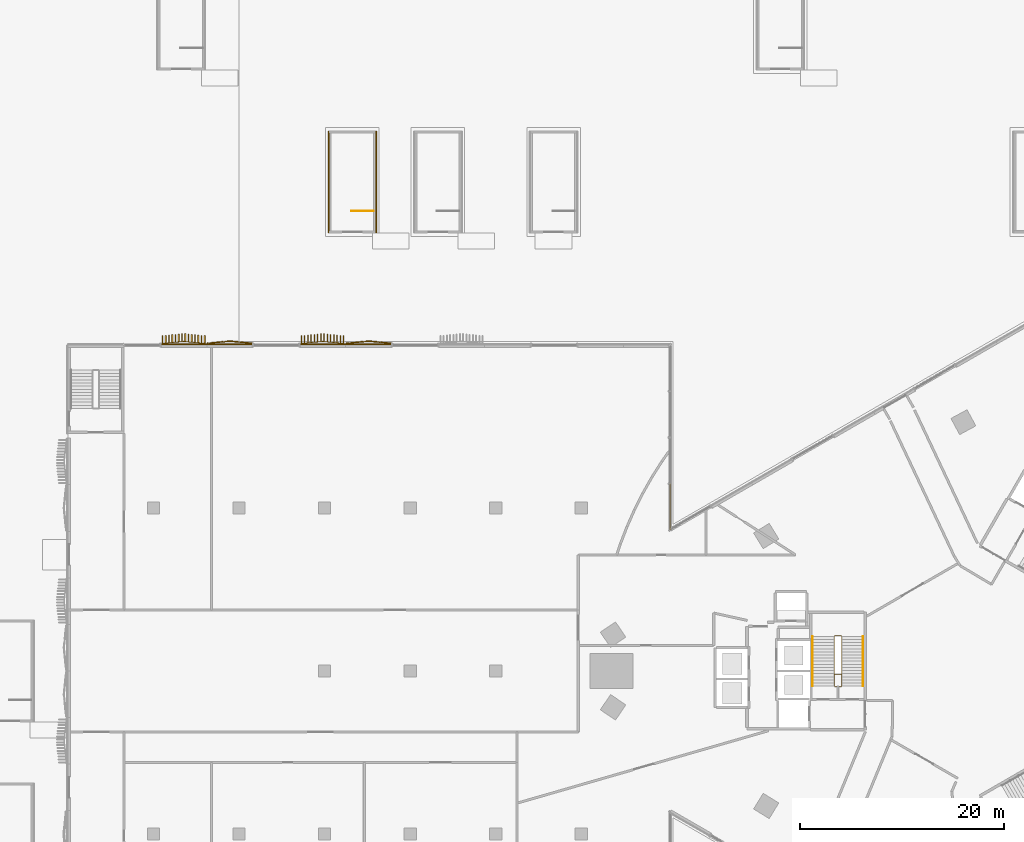
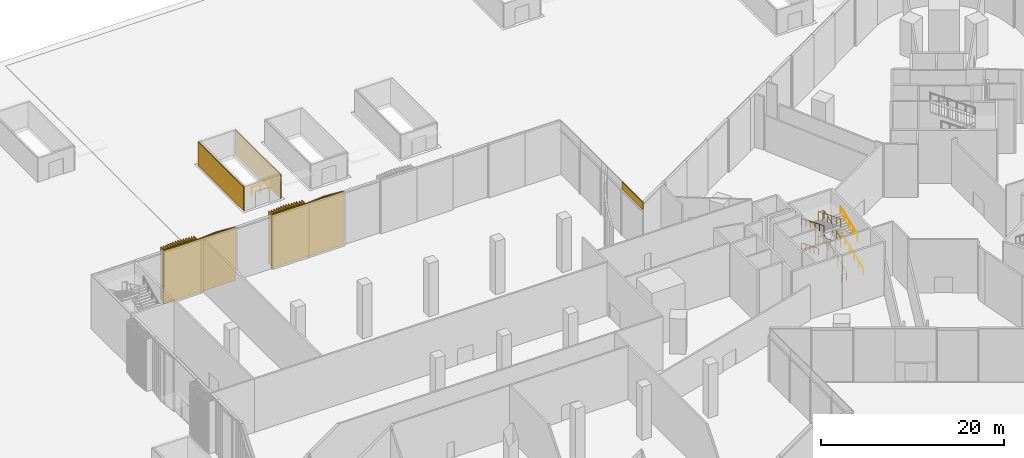
# One storey, part 34 of 41: 9 coverings, 6 railings.
"""IFC4 building model written with IfcOpenShell, lengths in metres."""

import ifcopenshell
import ifcopenshell.guid

model = None  # the IFC model being written
_history = None  # IfcOwnerHistory: only IFC2X3 demands one
_inside = {}  # id of a spatial element -> (the spatial element, [elements in it])
_under = {}  # id of a project, library or spatial element -> (it, [spatial elements below it])
_declared = {}  # id of a project -> (the project, [libraries it declares])
_typed = {}  # id of a type object -> (the type object, [elements of that type])
_made_of = {}  # id of a material, layer set ... -> (it, [elements and type objects made of it])


def new_model(schema):
    """Start an empty IFC model of exactly this schema.

    Asked for "IFC4X3", IfcOpenShell would pick the latest addendum, in which some entities
    have other attributes; the version numbers below select the first issue.
    IFC2X3 requires an IfcOwnerHistory on every rooted entity: one is made here for all.
    """
    global model, _history
    if schema == "IFC4X3":
        model = ifcopenshell.file(schema_version=(4, 3, 0, 0))
    else:
        model = ifcopenshell.file(schema=schema)
    _inside.clear()
    _under.clear()
    _declared.clear()
    _typed.clear()
    _made_of.clear()
    _history = None
    if model.schema == "IFC2X3":
        org = make("IfcOrganization", Name="unknown")
        user = make(
            "IfcPersonAndOrganization",
            ThePerson=make("IfcPerson", FamilyName="unknown"),
            TheOrganization=org,
        )
        app = make(
            "IfcApplication",
            ApplicationDeveloper=org,
            Version="unknown",
            ApplicationFullName="unknown",
            ApplicationIdentifier="unknown",
        )
        _history = make(
            "IfcOwnerHistory",
            OwningUser=user,
            OwningApplication=app,
            ChangeAction="ADDED",
            CreationDate=0,
        )
    return model


def make(cls, **values):
    """One entity of the class cls with the attributes given. An attribute that is None is left unset."""
    return model.create_entity(
        cls, **{name: value for name, value in values.items() if value is not None}
    )


def rooted(cls, **values):
    """An entity with a GlobalId (a new one), such as an element, a storey or a relation."""
    return make(cls, GlobalId=ifcopenshell.guid.new(), OwnerHistory=_history, **values)


def si_unit(unit_type, name, prefix=None):
    """IfcSIUnit, for example si_unit("LENGTHUNIT", "METRE", prefix="MILLI")."""
    return make("IfcSIUnit", UnitType=unit_type, Prefix=prefix, Name=name)


def assignment(units):
    """IfcUnitAssignment: the units of a project."""
    return None if units is None else make("IfcUnitAssignment", Units=units)


def point(xyz):
    """IfcCartesianPoint."""
    return None if xyz is None else make("IfcCartesianPoint", Coordinates=xyz)


def direction(xyz):
    """IfcDirection."""
    return None if xyz is None else make("IfcDirection", DirectionRatios=xyz)


def frame(location, z_axis=None, x_axis=None):
    """IfcAxis2Placement3D, a coordinate frame: its origin and axes. An axis left out is left unset."""
    return make(
        "IfcAxis2Placement3D",
        Location=point(location),
        Axis=direction(z_axis),
        RefDirection=direction(x_axis),
    )


def frame_2d(location, x_axis=None):
    """IfcAxis2Placement2D, a coordinate frame in the plane: its origin and x axis."""
    return make(
        "IfcAxis2Placement2D", Location=point(location), RefDirection=direction(x_axis)
    )


def origin():
    """The frame at (0, 0, 0) with its axes left unset."""
    return frame((0.0, 0.0, 0.0))


def origin_2d():
    """The frame at (0, 0) in the plane with its x axis left unset."""
    return frame_2d((0.0, 0.0))


def place(relative_to, where):
    """IfcLocalPlacement: puts the frame where relative to a parent placement (None: the world)."""
    return make(
        "IfcLocalPlacement", PlacementRelTo=relative_to, RelativePlacement=where
    )


def context(
    kind, dimensions, precision=None, world=None, true_north=None, identifier=None
):
    """IfcGeometricRepresentationContext, for example the 3D "Model" context."""
    return make(
        "IfcGeometricRepresentationContext",
        ContextIdentifier=identifier,
        ContextType=kind,
        CoordinateSpaceDimension=dimensions,
        Precision=precision,
        WorldCoordinateSystem=world,
        TrueNorth=true_north,
    )


def subcontext(parent, identifier, kind, view, scale=None):
    """IfcGeometricRepresentationSubContext, for example "Body" below "Model"."""
    return make(
        "IfcGeometricRepresentationSubContext",
        ContextIdentifier=identifier,
        ContextType=kind,
        ParentContext=parent,
        TargetScale=scale,
        TargetView=view,
    )


def project(units=None, contexts=None):
    """IfcProject with its units and contexts."""
    return rooted(
        "IfcProject",
        Name="project",
        RepresentationContexts=contexts,
        UnitsInContext=assignment(units),
    )


def spatial(cls, under=None, at=None, **own):
    """A site, building, storey or space (cls), placed at a placement, below another one or the project."""
    s = rooted(cls, ObjectPlacement=at, **own)
    if under is not None:
        _under.setdefault(under.id(), (under, []))[1].append(s)
    return s


def profile(cls, at=None, kind="AREA", **sizes):
    """A parametric profile (cls). Its sizes go by their IFC names, for example OverallWidth=200.0."""
    return make(cls, ProfileType=kind, Position=at, **sizes)


def rectangle(**sizes):
    """IfcRectangleProfileDef."""
    return profile("IfcRectangleProfileDef", **sizes)


def circle(**sizes):
    """IfcCircleProfileDef."""
    return profile("IfcCircleProfileDef", **sizes)


def extrude(swept, where, along, depth):
    """IfcExtrudedAreaSolid: the profile swept, set in the frame where, extruded along a direction by depth."""
    return make(
        "IfcExtrudedAreaSolid",
        SweptArea=swept,
        Position=where,
        ExtrudedDirection=direction(along),
        Depth=depth,
    )


def shape(context_of_items, identifier, shape_type, items):
    """IfcShapeRepresentation: the items that make up one representation, for example the "Body"."""
    return make(
        "IfcShapeRepresentation",
        ContextOfItems=context_of_items,
        RepresentationIdentifier=identifier,
        RepresentationType=shape_type,
        Items=items,
    )


def source(mapping_origin, context_of_items, identifier, shape_type, items):
    """IfcRepresentationMap: a shape defined once, which mapped items show again and again."""
    return make(
        "IfcRepresentationMap",
        MappingOrigin=mapping_origin,
        MappedRepresentation=shape(context_of_items, identifier, shape_type, items),
    )


def transform(
    local_origin,
    x_axis=None,
    y_axis=None,
    z_axis=None,
    scale=None,
    scale2=None,
    scale3=None,
    uniform=True,
):
    """IfcCartesianTransformationOperator3D, or its non-uniform kind. x_axis, y_axis, z_axis: its Axis1, 2, 3."""
    if uniform:
        return make(
            "IfcCartesianTransformationOperator3D",
            Axis1=direction(x_axis),
            Axis2=direction(y_axis),
            LocalOrigin=point(local_origin),
            Scale=scale,
            Axis3=direction(z_axis),
        )
    return make(
        "IfcCartesianTransformationOperator3DnonUniform",
        Axis1=direction(x_axis),
        Axis2=direction(y_axis),
        LocalOrigin=point(local_origin),
        Scale=scale,
        Axis3=direction(z_axis),
        Scale2=scale2,
        Scale3=scale3,
    )


def mapped(mapping_source, mapping_target):
    """IfcMappedItem: shows the shape of a source again, moved by a transform."""
    return make(
        "IfcMappedItem", MappingSource=mapping_source, MappingTarget=mapping_target
    )


def material(Name=None, Category=None):
    """IfcMaterial."""
    return make("IfcMaterial", Name=Name, Category=Category)


def layer(
    of_material, thickness, ventilated=None, Name=None, Category=None, Priority=None
):
    """IfcMaterialLayer: one layer of a wall or slab, of a material (None: an air gap)."""
    return make(
        "IfcMaterialLayer",
        Material=of_material,
        LayerThickness=thickness,
        IsVentilated=ventilated,
        Name=Name,
        Category=Category,
        Priority=Priority,
    )


def layer_set(layers, Name=None):
    """IfcMaterialLayerSet."""
    return make("IfcMaterialLayerSet", MaterialLayers=layers, LayerSetName=Name)


def made_of(thing, what):
    """Note that an element or type object is made of a material, layer set ...; save() writes the relation."""
    if what is not None:
        _made_of.setdefault(what.id(), (what, []))[1].append(thing)
    return thing


def type_object(cls, material=None, **own):
    """A type object (cls), such as IfcWallType, which elements share."""
    return made_of(rooted(cls, **own), material)


def element(
    cls,
    number,
    at=None,
    inside=None,
    cuts=None,
    type_object=None,
    material=None,
    context=None,
    identifier="Body",
    shape_type=None,
    held_by="IfcProductDefinitionShape",
    body=None,
    shapes=None,
    **own,
):
    """One element of the class cls, such as IfcWall. Its Tag is "e" and its number.

    at: its placement. inside: the storey or other place that contains it. cuts: it is an
    opening in that element (IfcRelVoidsElement). A single representation is given by context,
    identifier, shape_type and body (its items); several are given by shapes. held_by: the class
    of the entity that holds the representations. save() writes the other relations.
    """
    e = rooted(cls, Tag="e%d" % number, ObjectPlacement=at, **own)
    if body is not None:
        shapes = [shape(context, identifier, shape_type, body)]
    if shapes is not None:
        e.Representation = make(held_by, Representations=shapes)
    if inside is not None:
        _inside.setdefault(inside.id(), (inside, []))[1].append(e)
    if cuts is not None:
        rooted(
            "IfcRelVoidsElement", RelatingBuildingElement=cuts, RelatedOpeningElement=e
        )
    if type_object is not None:
        _typed.setdefault(type_object.id(), (type_object, []))[1].append(e)
    return made_of(e, material)


def aggregate(whole, parts):
    """IfcRelAggregates: a whole, such as a stair, and the parts it consists of."""
    return rooted("IfcRelAggregates", RelatingObject=whole, RelatedObjects=parts)


def save(model, path):
    """Write the relations noted so far, then the file.

    IfcRelAggregates (storeys below a building ...), IfcRelContainedInSpatialStructure (elements
    in a storey), IfcRelDefinesByType, IfcRelAssociatesMaterial and IfcRelDeclares: one each for
    every whole, place, type object, material and project.
    """
    for whole, parts in _under.values():
        aggregate(whole, parts)
    for where, things in _inside.values():
        rooted(
            "IfcRelContainedInSpatialStructure",
            RelatedElements=things,
            RelatingStructure=where,
        )
    for kind, things in _typed.values():
        rooted("IfcRelDefinesByType", RelatedObjects=things, RelatingType=kind)
    for what, things in _made_of.values():
        rooted("IfcRelAssociatesMaterial", RelatedObjects=things, RelatingMaterial=what)
    for by, libraries in _declared.values():
        rooted("IfcRelDeclares", RelatingContext=by, RelatedDefinitions=libraries)
    model.write(path)


model = new_model("IFC4")

# Units and contexts
model_context = context("Model", 3, precision=1e-05, world=origin(), true_north=direction((0.0, 1.0)))
body_context = subcontext(model_context, "Body", "Model", "MODEL_VIEW")
ifc_project = project(units=[si_unit("LENGTHUNIT", "METRE"), si_unit("AREAUNIT", "SQUARE_METRE"), si_unit("VOLUMEUNIT", "CUBIC_METRE"), si_unit("PLANEANGLEUNIT", "RADIAN"), si_unit("MASSUNIT", "GRAM", prefix="KILO")], contexts=[model_context])

# Site, building, storey
site_placement = place(None, origin())
site = spatial("IfcSite", under=ifc_project, at=site_placement, CompositionType="ELEMENT")
building_placement = place(site_placement, origin())
building = spatial("IfcBuilding", under=site, at=building_placement, Name="Tamra Quay Hotel Tower", CompositionType="ELEMENT")
storey_placement = place(building_placement, origin())
storey = spatial("IfcBuildingStorey", under=building, at=storey_placement, Name="L00", CompositionType="ELEMENT", Elevation=0.0)

# Railing
ifc_material_1 = material(Name="Basement stair guard 1100")
railing_type_1 = type_object("IfcRailingType", Name="Basement stair guard 1100", PredefinedType="GUARDRAIL", material=ifc_material_1)
railing_1_placement = place(storey_placement, frame((-59.10009765625, 45.14990234375, 0.0)))
element("IfcRailing", 1, at=railing_1_placement, inside=storey, type_object=railing_type_1, Name="BSG", PredefinedType="GUARDRAIL", context=body_context, shape_type="SweptSolid", body=[
    extrude(circle(Radius=0.02392578125, at=origin_2d()), frame((0.0, 0.0, 1.076171875), z_axis=(-1.0, 0.0, 0.0), x_axis=(0.0, -1.0, 0.0)), (0.0, 0.0, 1.0), 2.14990234375),
    extrude(circle(Radius=0.02099609375, at=origin_2d()), origin(), (0.0, 0.0, 1.0), 1.052001953125),
    extrude(circle(Radius=0.02099609375, at=origin_2d()), frame((-1.074951171875, 0.0, 0.0)), (0.0, 0.0, 1.0), 1.052001953125),
    extrude(circle(Radius=0.02099609375, at=origin_2d()), frame((-2.14990234375, 0.0, 0.0)), (0.0, 0.0, 1.0), 1.052001953125),
])

# Coverings
ifc_material_2 = material(Name="Precast concrete M60 terracotta-coloured pierced relief", Category="masonry")
ifc_layer = layer(ifc_material_2, 0.10009765625)
ifc_layer_set = layer_set([ifc_layer], Name="PIERCED RELIEF PANEL 100")
covering_type_1 = type_object("IfcCoveringType", Name="PIERCED RELIEF PANEL 100", PredefinedType="CLADDING", material=ifc_layer_set)
covering_placement = place(storey_placement, frame((-29.949951171875, 16.124267578125, 6.10009765625), z_axis=(0.0, 0.0, 1.0), x_axis=(0.0, 1.0, 0.0)))
element("IfcCovering", 2, at=covering_placement, inside=storey, type_object=covering_type_1, Name="Relief panel L00.E.17", PredefinedType="CLADDING", context=body_context, shape_type="SweptSolid", body=[
    extrude(rectangle(XDim=4.515869140625, YDim=0.10009765625, at=origin_2d()), origin(), (0.0, 0.0, 1.0), 1.0),
])
for number, where, z_axis, x_axis, name in (
    (3, (-61.822998046875, 32.050048828125, 0.0), (0.0, 0.0, 1.0), (-1.0, 0.0, 0.0), "Relief panel L00.NW.17"),
    (4, (-75.46142578125, 32.050048828125, 0.0), (0.0, 0.0, 1.0), (-1.0, 0.0, 0.0), "Relief panel L00.NW.20"),
):
    element("IfcCovering", number, at=place(storey_placement, frame(where, z_axis=z_axis, x_axis=x_axis)), inside=storey, type_object=covering_type_1, Name=name, PredefinedType="CLADDING", context=body_context, shape_type="SweptSolid", body=[
        extrude(rectangle(XDim=9.072265625, YDim=0.10009765625, at=origin_2d()), origin(), (0.0, 0.0, 1.0), 7.10009765625),
    ])
for number, where, z_axis, x_axis, name in (
    (5, (-63.5, 48.0, 0.0), (0.0, 0.0, 1.0), (0.0, -1.0, 0.0), "Relief panel BS7.W"),
    (6, (-58.85009765625, 48.0, 0.0), (0.0, 0.0, 1.0), (0.0, 1.0, 0.0), "Relief panel BS7.E"),
):
    element("IfcCovering", number, at=place(storey_placement, frame(where, z_axis=z_axis, x_axis=x_axis)), inside=storey, type_object=covering_type_1, Name=name, PredefinedType="CLADDING", context=body_context, shape_type="SweptSolid", body=[
        extrude(rectangle(XDim=9.97998046875, YDim=0.10009765625, at=origin_2d()), origin(), (0.0, 0.0, 1.0), 3.199951171875),
    ])

# Railings
ifc_material_3 = material(Name="Stair guard 1100")
railing_type_2 = type_object("IfcRailingType", Name="Stair guard 1100", PredefinedType="GUARDRAIL", material=ifc_material_3)
railing_2_placement = place(storey_placement, frame((-13.84130859375, -1.530029296875, 0.0)))
element("IfcRailing", 7, at=railing_2_placement, inside=storey, type_object=railing_type_2, Name="GR", PredefinedType="GUARDRAIL", context=body_context, shape_type="SweptSolid", body=[
    extrude(circle(Radius=0.02392578125, at=origin_2d()), frame((0.0, 0.0, 1.076171875), z_axis=(1.0, 0.0, 0.0), x_axis=(0.0, 1.0, 0.0)), (0.0, 0.0, 1.0), 0.658935546875),
    extrude(circle(Radius=0.02392578125, at=origin_2d()), frame((0.658935546875, 0.0, 1.076171875), z_axis=(0.34841279274, 0.34841279274, 0.870182194549), x_axis=(-0.707106781187, 0.707106781187, 0.0)), (0.0, 0.0, 1.0), 0.1435546875),
    extrude(circle(Radius=0.02392578125, at=origin_2d()), frame((0.708984375, 0.050048828125, 1.201171875), z_axis=(0.0, 0.925301943077, 0.379231214613), x_axis=(-1.0, 0.0, 0.0)), (0.0, 0.0, 1.0), 5.27392578125),
    extrude(circle(Radius=0.02392578125, at=origin_2d()), frame((0.708984375, 4.929931640625, 3.201171875), z_axis=(-0.707106781187, 0.707106781187, 0.0), x_axis=(-0.707106781187, -0.707106781187, 0.0)), (0.0, 0.0, 1.0), 0.07080078125),
    extrude(circle(Radius=0.02392578125, at=origin_2d()), frame((0.658935546875, 4.97998046875, 3.201171875), z_axis=(-1.0, 0.0, 0.0), x_axis=(0.0, -1.0, 0.0)), (0.0, 0.0, 1.0), 0.658935546875),
    extrude(circle(Radius=0.02392578125, at=origin_2d()), frame((0.0, 4.97998046875, 3.201171875), z_axis=(-0.34841279274, -0.34841279274, 0.870182194549), x_axis=(0.707106781187, -0.707106781187, 0.0)), (0.0, 0.0, 1.0), 0.1435546875),
    extrude(circle(Radius=0.02392578125, at=origin_2d()), frame((-0.050048828125, 4.929931640625, 3.326171875), z_axis=(0.0, -0.925301943077, 0.379231214613), x_axis=(1.0, 0.0, 0.0)), (0.0, 0.0, 1.0), 3.955322265625),
    extrude(circle(Radius=0.02392578125, at=origin_2d()), frame((-0.050048828125, 1.27001953125, 4.826171875), z_axis=(0.707106781187, -0.707106781187, 0.0), x_axis=(0.707106781187, 0.707106781187, 0.0)), (0.0, 0.0, 1.0), 0.07080078125),
    extrude(circle(Radius=0.02392578125, at=origin_2d()), frame((0.0, 1.219970703125, 4.826171875), z_axis=(1.0, 0.0, 0.0), x_axis=(0.0, 1.0, 0.0)), (0.0, 0.0, 1.0), 0.658935546875),
    extrude(circle(Radius=0.02392578125, at=origin_2d()), frame((0.658935546875, 1.219970703125, 4.826171875), z_axis=(0.34841279274, 0.34841279274, 0.870182194549), x_axis=(-0.707106781187, 0.707106781187, 0.0)), (0.0, 0.0, 1.0), 0.1435546875),
    extrude(circle(Radius=0.02392578125, at=origin_2d()), frame((0.708984375, 1.27001953125, 4.951171875), z_axis=(0.0, 0.925301943077, 0.379231214613), x_axis=(-1.0, 0.0, 0.0)), (0.0, 0.0, 1.0), 3.955322265625),
    extrude(circle(Radius=0.02392578125, at=origin_2d()), frame((0.708984375, 4.929931640625, 6.451171875), z_axis=(-0.707106781187, 0.707106781187, 0.0), x_axis=(-0.707106781187, -0.707106781187, 0.0)), (0.0, 0.0, 1.0), 0.07080078125),
    extrude(circle(Radius=0.02392578125, at=origin_2d()), frame((0.658935546875, 4.97998046875, 6.451171875), z_axis=(-1.0, 0.0, 0.0), x_axis=(0.0, -1.0, 0.0)), (0.0, 0.0, 1.0), 0.658935546875),
    extrude(circle(Radius=0.02392578125, at=origin_2d()), frame((0.0, 4.97998046875, 6.451171875), z_axis=(-0.34841279274, -0.34841279274, 0.870182194549), x_axis=(0.707106781187, -0.707106781187, 0.0)), (0.0, 0.0, 1.0), 0.1435546875),
    extrude(circle(Radius=0.02392578125, at=origin_2d()), frame((-0.050048828125, 4.929931640625, 6.576171875), z_axis=(0.0, -0.925301943077, 0.379231214613), x_axis=(1.0, 0.0, 0.0)), (0.0, 0.0, 1.0), 5.27392578125),
    extrude(circle(Radius=0.02099609375, at=origin_2d()), origin(), (0.0, 0.0, 1.0), 1.052001953125),
    extrude(circle(Radius=0.02099609375, at=origin_2d()), frame((0.658935546875, 0.0, 0.0)), (0.0, 0.0, 1.0), 1.052001953125),
    extrude(circle(Radius=0.02099609375, at=origin_2d()), frame((0.708984375, 0.050048828125, 0.125)), (0.0, 0.0, 1.0), 1.052001953125),
    extrude(circle(Radius=0.02099609375, at=origin_2d()), frame((0.708984375, 1.026123046875, 0.52490234375)), (0.0, 0.0, 1.0), 1.052001953125),
    extrude(circle(Radius=0.02099609375, at=origin_2d()), frame((0.708984375, 2.001953125, 0.925048828125)), (0.0, 0.0, 1.0), 1.052001953125),
    extrude(circle(Radius=0.02099609375, at=origin_2d()), frame((0.708984375, 2.97802734375, 1.324951171875)), (0.0, 0.0, 1.0), 1.052001953125),
    extrude(circle(Radius=0.02099609375, at=origin_2d()), frame((0.708984375, 3.953857421875, 1.72509765625)), (0.0, 0.0, 1.0), 1.052001953125),
    extrude(circle(Radius=0.02099609375, at=origin_2d()), frame((0.708984375, 4.929931640625, 2.125)), (0.0, 0.0, 1.0), 1.052001953125),
    extrude(circle(Radius=0.02099609375, at=origin_2d()), frame((0.658935546875, 4.97998046875, 2.125)), (0.0, 0.0, 1.0), 1.052001953125),
    extrude(circle(Radius=0.02099609375, at=origin_2d()), frame((0.0, 4.97998046875, 2.125)), (0.0, 0.0, 1.0), 1.052001953125),
    extrude(circle(Radius=0.02099609375, at=origin_2d()), frame((-0.050048828125, 4.929931640625, 2.25)), (0.0, 0.0, 1.0), 1.052001953125),
    extrude(circle(Radius=0.02099609375, at=origin_2d()), frame((-0.050048828125, 4.014892578125, 2.625)), (0.0, 0.0, 1.0), 1.052001953125),
    extrude(circle(Radius=0.02099609375, at=origin_2d()), frame((-0.050048828125, 3.10009765625, 3.0)), (0.0, 0.0, 1.0), 1.052001953125),
    extrude(circle(Radius=0.02099609375, at=origin_2d()), frame((-0.050048828125, 2.18505859375, 3.375)), (0.0, 0.0, 1.0), 1.052001953125),
    extrude(circle(Radius=0.02099609375, at=origin_2d()), frame((-0.050048828125, 1.27001953125, 3.75)), (0.0, 0.0, 1.0), 1.052001953125),
    extrude(circle(Radius=0.02099609375, at=origin_2d()), frame((0.0, 1.219970703125, 3.75)), (0.0, 0.0, 1.0), 1.052001953125),
    extrude(circle(Radius=0.02099609375, at=origin_2d()), frame((0.658935546875, 1.219970703125, 3.75)), (0.0, 0.0, 1.0), 1.052001953125),
    extrude(circle(Radius=0.02099609375, at=origin_2d()), frame((0.708984375, 1.27001953125, 3.875)), (0.0, 0.0, 1.0), 1.052001953125),
    extrude(circle(Radius=0.02099609375, at=origin_2d()), frame((0.708984375, 2.18505859375, 4.25)), (0.0, 0.0, 1.0), 1.052001953125),
    extrude(circle(Radius=0.02099609375, at=origin_2d()), frame((0.708984375, 3.10009765625, 4.625)), (0.0, 0.0, 1.0), 1.052001953125),
    extrude(circle(Radius=0.02099609375, at=origin_2d()), frame((0.708984375, 4.014892578125, 5.0)), (0.0, 0.0, 1.0), 1.052001953125),
    extrude(circle(Radius=0.02099609375, at=origin_2d()), frame((0.708984375, 4.929931640625, 5.375)), (0.0, 0.0, 1.0), 1.052001953125),
    extrude(circle(Radius=0.02099609375, at=origin_2d()), frame((0.658935546875, 4.97998046875, 5.375)), (0.0, 0.0, 1.0), 1.052001953125),
    extrude(circle(Radius=0.02099609375, at=origin_2d()), frame((0.0, 4.97998046875, 5.375)), (0.0, 0.0, 1.0), 1.052001953125),
    extrude(circle(Radius=0.02099609375, at=origin_2d()), frame((-0.050048828125, 4.929931640625, 5.5)), (0.0, 0.0, 1.0), 1.052001953125),
    extrude(circle(Radius=0.02099609375, at=origin_2d()), frame((-0.050048828125, 3.953857421875, 5.89990234375)), (0.0, 0.0, 1.0), 1.052001953125),
    extrude(circle(Radius=0.02099609375, at=origin_2d()), frame((-0.050048828125, 2.97802734375, 6.300048828125)), (0.0, 0.0, 1.0), 1.052001953125),
    extrude(circle(Radius=0.02099609375, at=origin_2d()), frame((-0.050048828125, 2.001953125, 6.699951171875)), (0.0, 0.0, 1.0), 1.052001953125),
    extrude(circle(Radius=0.02099609375, at=origin_2d()), frame((-0.050048828125, 1.026123046875, 7.10009765625)), (0.0, 0.0, 1.0), 1.052001953125),
    extrude(circle(Radius=0.02099609375, at=origin_2d()), frame((-0.050048828125, 0.050048828125, 7.5)), (0.0, 0.0, 1.0), 1.052001953125),
])
ifc_material_4 = material(Name="Stair handrail 900")
railing_type_3 = type_object("IfcRailingType", Name="Stair handrail 900", PredefinedType="HANDRAIL", material=ifc_material_4)
railing_3_placement = place(storey_placement, frame((-11.0322265625, -1.47998046875, 0.125)))
element("IfcRailing", 8, at=railing_3_placement, inside=storey, type_object=railing_type_3, Name="HR", PredefinedType="HANDRAIL", context=body_context, shape_type="SweptSolid", body=[
    extrude(circle(Radius=0.02392578125, at=origin_2d()), frame((0.0, 0.0, 0.8759765625), z_axis=(0.0, 0.925301943077, 0.379231214613), x_axis=(-1.0, 0.0, 0.0)), (0.0, 0.0, 1.0), 5.27392578125),
    extrude(circle(Radius=0.02099609375, at=origin_2d()), origin(), (0.0, 0.0, 1.0), 0.851806640625),
    extrude(circle(Radius=0.02099609375, at=origin_2d()), frame((0.0, 0.97607421875, 0.39990234375)), (0.0, 0.0, 1.0), 0.851806640625),
    extrude(circle(Radius=0.02099609375, at=origin_2d()), frame((0.0, 1.951904296875, 0.800048828125)), (0.0, 0.0, 1.0), 0.851806640625),
    extrude(circle(Radius=0.02099609375, at=origin_2d()), frame((0.0, 2.927978515625, 1.199951171875)), (0.0, 0.0, 1.0), 0.851806640625),
    extrude(circle(Radius=0.02099609375, at=origin_2d()), frame((0.0, 3.90380859375, 1.60009765625)), (0.0, 0.0, 1.0), 0.851806640625),
    extrude(circle(Radius=0.02099609375, at=origin_2d()), frame((0.0, 4.8798828125, 2.0)), (0.0, 0.0, 1.0), 0.851806640625),
])
railing_4_placement = place(storey_placement, frame((-15.9912109375, 3.39990234375, 2.25)))
element("IfcRailing", 9, at=railing_4_placement, inside=storey, type_object=railing_type_3, Name="HR", PredefinedType="HANDRAIL", context=body_context, shape_type="SweptSolid", body=[
    extrude(circle(Radius=0.02392578125, at=origin_2d()), frame((0.0, 0.0, 0.8759765625), z_axis=(0.0, -0.925301943077, 0.379231214613), x_axis=(1.0, 0.0, 0.0)), (0.0, 0.0, 1.0), 3.955322265625),
    extrude(circle(Radius=0.02099609375, at=origin_2d()), origin(), (0.0, 0.0, 1.0), 0.851806640625),
    extrude(circle(Radius=0.02099609375, at=origin_2d()), frame((0.0, -0.9150390625, 0.375)), (0.0, 0.0, 1.0), 0.851806640625),
    extrude(circle(Radius=0.02099609375, at=origin_2d()), frame((0.0, -1.830078125, 0.75)), (0.0, 0.0, 1.0), 0.851806640625),
    extrude(circle(Radius=0.02099609375, at=origin_2d()), frame((0.0, -2.744873046875, 1.125)), (0.0, 0.0, 1.0), 0.851806640625),
    extrude(circle(Radius=0.02099609375, at=origin_2d()), frame((0.0, -3.659912109375, 1.5)), (0.0, 0.0, 1.0), 0.851806640625),
])
railing_5_placement = place(storey_placement, frame((-11.0322265625, -0.260009765625, 3.875)))
element("IfcRailing", 10, at=railing_5_placement, inside=storey, type_object=railing_type_3, Name="HR", PredefinedType="HANDRAIL", context=body_context, shape_type="SweptSolid", body=[
    extrude(circle(Radius=0.02392578125, at=origin_2d()), frame((0.0, 0.0, 0.8759765625), z_axis=(0.0, 0.925301943077, 0.379231214613), x_axis=(-1.0, 0.0, 0.0)), (0.0, 0.0, 1.0), 3.955322265625),
    extrude(circle(Radius=0.02099609375, at=origin_2d()), origin(), (0.0, 0.0, 1.0), 0.851806640625),
    extrude(circle(Radius=0.02099609375, at=origin_2d()), frame((0.0, 0.9150390625, 0.375)), (0.0, 0.0, 1.0), 0.851806640625),
    extrude(circle(Radius=0.02099609375, at=origin_2d()), frame((0.0, 1.830078125, 0.75)), (0.0, 0.0, 1.0), 0.851806640625),
    extrude(circle(Radius=0.02099609375, at=origin_2d()), frame((0.0, 2.744873046875, 1.125)), (0.0, 0.0, 1.0), 0.851806640625),
    extrude(circle(Radius=0.02099609375, at=origin_2d()), frame((0.0, 3.659912109375, 1.5)), (0.0, 0.0, 1.0), 0.851806640625),
])
railing_6_placement = place(storey_placement, frame((-15.9912109375, 3.39990234375, 5.5)))
element("IfcRailing", 11, at=railing_6_placement, inside=storey, type_object=railing_type_3, Name="HR", PredefinedType="HANDRAIL", context=body_context, shape_type="SweptSolid", body=[
    extrude(circle(Radius=0.02392578125, at=origin_2d()), frame((0.0, 0.0, 0.8759765625), z_axis=(0.0, -0.925301943077, 0.379231214613), x_axis=(1.0, 0.0, 0.0)), (0.0, 0.0, 1.0), 5.27392578125),
    extrude(circle(Radius=0.02099609375, at=origin_2d()), origin(), (0.0, 0.0, 1.0), 0.851806640625),
    extrude(circle(Radius=0.02099609375, at=origin_2d()), frame((0.0, -0.97607421875, 0.39990234375)), (0.0, 0.0, 1.0), 0.851806640625),
    extrude(circle(Radius=0.02099609375, at=origin_2d()), frame((0.0, -1.951904296875, 0.800048828125)), (0.0, 0.0, 1.0), 0.851806640625),
    extrude(circle(Radius=0.02099609375, at=origin_2d()), frame((0.0, -2.927978515625, 1.199951171875)), (0.0, 0.0, 1.0), 0.851806640625),
    extrude(circle(Radius=0.02099609375, at=origin_2d()), frame((0.0, -3.90380859375, 1.60009765625)), (0.0, 0.0, 1.0), 0.851806640625),
    extrude(circle(Radius=0.02099609375, at=origin_2d()), frame((0.0, -4.8798828125, 2.0)), (0.0, 0.0, 1.0), 0.851806640625),
])

# Coverings
ifc_material_5 = material(Name="Terracotta baguette extruded", Category="masonry")
covering_type_2 = type_object("IfcCoveringType", Name="BAGUETTE SCREEN NW-DEEP H7100", PredefinedType="USERDEFINED", material=ifc_material_5)
shared_shape_1 = source(origin(), body_context, "Body", "SweptSolid", [
    extrude(rectangle(XDim=2.242919921875, YDim=0.06005859375, at=frame_2d((1.12158203125, 0.030029296875))), frame((-2.23828125, -0.0576171875, -0.1201171875), z_axis=(0.0, 0.0, 1.0), x_axis=(0.995396198367, -0.09584575252, 0.0)), (0.0, 0.0, 1.0), 0.1201171875),
    extrude(rectangle(XDim=2.242919921875, YDim=0.06005859375, at=frame_2d((1.12158203125, 0.030029296875))), frame((-2.23828125, -0.0576171875, -7.10009765625), z_axis=(0.0, 0.0, 1.0), x_axis=(0.995396198367, -0.09584575252, 0.0)), (0.0, 0.0, 1.0), 0.1201171875),
    extrude(rectangle(XDim=0.10009765625, YDim=0.780029296875, at=frame_2d((0.050048828125, 0.39013671875))), frame((-2.123046875, -0.8232421875, -7.0400390625)), (0.0, 0.0, 1.0), 6.97998046875),
    extrude(rectangle(XDim=0.10009765625, YDim=0.780029296875, at=frame_2d((0.050048828125, 0.39013671875))), frame((-1.80419921875, -0.85400390625, -7.0400390625)), (0.0, 0.0, 1.0), 6.97998046875),
    extrude(rectangle(XDim=0.10009765625, YDim=0.780029296875, at=frame_2d((0.050048828125, 0.39013671875))), frame((-1.485107421875, -0.884765625, -7.0400390625)), (0.0, 0.0, 1.0), 6.97998046875),
    extrude(rectangle(XDim=0.10009765625, YDim=0.780029296875, at=frame_2d((0.050048828125, 0.39013671875))), frame((-1.166259765625, -0.91552734375, -7.0400390625)), (0.0, 0.0, 1.0), 6.97998046875),
    extrude(rectangle(XDim=0.10009765625, YDim=0.780029296875, at=frame_2d((0.050048828125, 0.39013671875))), frame((-0.847412109375, -0.9462890625, -7.0400390625)), (0.0, 0.0, 1.0), 6.97998046875),
    extrude(rectangle(XDim=0.10009765625, YDim=0.780029296875, at=frame_2d((0.050048828125, 0.39013671875))), frame((-0.5283203125, -0.976806640625, -7.0400390625)), (0.0, 0.0, 1.0), 6.97998046875),
    extrude(rectangle(XDim=0.10009765625, YDim=0.780029296875, at=frame_2d((0.050048828125, 0.39013671875))), frame((-0.20947265625, -1.007568359375, -7.0400390625)), (0.0, 0.0, 1.0), 6.97998046875),
    extrude(rectangle(XDim=2.242919921875, YDim=0.06005859375, at=frame_2d((1.12158203125, 0.030029296875))), frame((0.005859375, -0.272705078125, -0.1201171875), z_axis=(0.0, 0.0, 1.0), x_axis=(0.995396198367, 0.09584575252, 0.0)), (0.0, 0.0, 1.0), 0.1201171875),
    extrude(rectangle(XDim=2.242919921875, YDim=0.06005859375, at=frame_2d((1.12158203125, 0.030029296875))), frame((0.005859375, -0.272705078125, -7.10009765625), z_axis=(0.0, 0.0, 1.0), x_axis=(0.995396198367, 0.09584575252, 0.0)), (0.0, 0.0, 1.0), 0.1201171875),
    extrude(rectangle(XDim=0.10009765625, YDim=0.780029296875, at=frame_2d((0.050048828125, 0.39013671875))), frame((0.109375, -1.007568359375, -7.0400390625)), (0.0, 0.0, 1.0), 6.97998046875),
    extrude(rectangle(XDim=0.10009765625, YDim=0.780029296875, at=frame_2d((0.050048828125, 0.39013671875))), frame((0.428466796875, -0.976806640625, -7.0400390625)), (0.0, 0.0, 1.0), 6.97998046875),
    extrude(rectangle(XDim=0.10009765625, YDim=0.780029296875, at=frame_2d((0.050048828125, 0.39013671875))), frame((0.747314453125, -0.9462890625, -7.0400390625)), (0.0, 0.0, 1.0), 6.97998046875),
    extrude(rectangle(XDim=0.10009765625, YDim=0.780029296875, at=frame_2d((0.050048828125, 0.39013671875))), frame((1.066162109375, -0.91552734375, -7.0400390625)), (0.0, 0.0, 1.0), 6.97998046875),
    extrude(rectangle(XDim=0.10009765625, YDim=0.780029296875, at=frame_2d((0.050048828125, 0.39013671875))), frame((1.38525390625, -0.884765625, -7.0400390625)), (0.0, 0.0, 1.0), 6.97998046875),
    extrude(rectangle(XDim=0.10009765625, YDim=0.780029296875, at=frame_2d((0.050048828125, 0.39013671875))), frame((1.7041015625, -0.85400390625, -7.0400390625)), (0.0, 0.0, 1.0), 6.97998046875),
    extrude(rectangle(XDim=0.10009765625, YDim=0.780029296875, at=frame_2d((0.050048828125, 0.39013671875))), frame((2.02294921875, -0.8232421875, -7.0400390625)), (0.0, 0.0, 1.0), 6.97998046875),
])
for number, where, z_axis, x_axis, name in (
    (12, (-64.09619140625, 32.10009765625, 7.10009765625), (0.0, 0.0, 1.0), (-1.0, 0.0, 0.0), "Baguette screen wing.L00.NW.18"),
    (13, (-77.734619140625, 32.10009765625, 7.10009765625), (0.0, 0.0, 1.0), (-1.0, 0.0, 0.0), "Baguette screen wing.L00.NW.21"),
):
    element("IfcCovering", number, at=place(storey_placement, frame(where, z_axis=z_axis, x_axis=x_axis)), inside=storey, type_object=covering_type_2, Name=name, ObjectType="BAGUETTE SCREEN", PredefinedType="USERDEFINED", context=body_context, shape_type="MappedRepresentation", body=[
        mapped(shared_shape_1, transform((0.0, 0.0, 0.0), scale=1.0)),
    ])
covering_type_3 = type_object("IfcCoveringType", Name="BAGUETTE SCREEN NW-SHALLOW H7100", PredefinedType="USERDEFINED", material=ifc_material_5)
shared_shape_2 = source(origin(), body_context, "Body", "SweptSolid", [
    extrude(rectangle(XDim=2.242919921875, YDim=0.06005859375, at=frame_2d((1.12158203125, 0.030029296875))), frame((-2.23828125, -0.0576171875, -0.1201171875), z_axis=(0.0, 0.0, 1.0), x_axis=(0.995396198367, -0.09584575252, 0.0)), (0.0, 0.0, 1.0), 0.1201171875),
    extrude(rectangle(XDim=2.242919921875, YDim=0.06005859375, at=frame_2d((1.12158203125, 0.030029296875))), frame((-2.23828125, -0.0576171875, -7.10009765625), z_axis=(0.0, 0.0, 1.0), x_axis=(0.995396198367, -0.09584575252, 0.0)), (0.0, 0.0, 1.0), 0.1201171875),
    extrude(rectangle(XDim=0.094970703125, YDim=0.10009765625, at=frame_2d((0.04736328125, 0.050048828125))), frame((-2.229248046875, -0.1328125, -7.0400390625)), (0.0, 0.0, 1.0), 6.97998046875),
    extrude(rectangle(XDim=0.094970703125, YDim=0.10009765625, at=frame_2d((0.04736328125, 0.050048828125))), frame((-2.127685546875, -0.142578125, -7.0400390625)), (0.0, 0.0, 1.0), 6.97998046875),
    extrude(rectangle(XDim=0.094970703125, YDim=0.10009765625, at=frame_2d((0.04736328125, 0.050048828125))), frame((-2.0263671875, -0.15234375, -7.0400390625)), (0.0, 0.0, 1.0), 6.97998046875),
    extrude(rectangle(XDim=0.094970703125, YDim=0.10009765625, at=frame_2d((0.04736328125, 0.050048828125))), frame((-1.9248046875, -0.162109375, -7.0400390625)), (0.0, 0.0, 1.0), 6.97998046875),
    extrude(rectangle(XDim=0.094970703125, YDim=0.10009765625, at=frame_2d((0.04736328125, 0.050048828125))), frame((-1.8232421875, -0.171875, -7.0400390625)), (0.0, 0.0, 1.0), 6.97998046875),
    extrude(rectangle(XDim=0.094970703125, YDim=0.10009765625, at=frame_2d((0.04736328125, 0.050048828125))), frame((-1.721923828125, -0.181640625, -7.0400390625)), (0.0, 0.0, 1.0), 6.97998046875),
    extrude(rectangle(XDim=0.094970703125, YDim=0.10009765625, at=frame_2d((0.04736328125, 0.050048828125))), frame((-1.620361328125, -0.19140625, -7.0400390625)), (0.0, 0.0, 1.0), 6.97998046875),
    extrude(rectangle(XDim=0.094970703125, YDim=0.10009765625, at=frame_2d((0.04736328125, 0.050048828125))), frame((-1.518798828125, -0.201171875, -7.0400390625)), (0.0, 0.0, 1.0), 6.97998046875),
    extrude(rectangle(XDim=0.094970703125, YDim=0.10009765625, at=frame_2d((0.04736328125, 0.050048828125))), frame((-1.41748046875, -0.2109375, -7.0400390625)), (0.0, 0.0, 1.0), 6.97998046875),
    extrude(rectangle(XDim=0.094970703125, YDim=0.10009765625, at=frame_2d((0.04736328125, 0.050048828125))), frame((-1.31591796875, -0.220947265625, -7.0400390625)), (0.0, 0.0, 1.0), 6.97998046875),
    extrude(rectangle(XDim=0.094970703125, YDim=0.10009765625, at=frame_2d((0.04736328125, 0.050048828125))), frame((-1.214599609375, -0.230712890625, -7.0400390625)), (0.0, 0.0, 1.0), 6.97998046875),
    extrude(rectangle(XDim=0.094970703125, YDim=0.10009765625, at=frame_2d((0.04736328125, 0.050048828125))), frame((-1.113037109375, -0.240478515625, -7.0400390625)), (0.0, 0.0, 1.0), 6.97998046875),
    extrude(rectangle(XDim=0.094970703125, YDim=0.10009765625, at=frame_2d((0.04736328125, 0.050048828125))), frame((-1.011474609375, -0.250244140625, -7.0400390625)), (0.0, 0.0, 1.0), 6.97998046875),
    extrude(rectangle(XDim=0.094970703125, YDim=0.10009765625, at=frame_2d((0.04736328125, 0.050048828125))), frame((-0.91015625, -0.260009765625, -7.0400390625)), (0.0, 0.0, 1.0), 6.97998046875),
    extrude(rectangle(XDim=0.094970703125, YDim=0.10009765625, at=frame_2d((0.04736328125, 0.050048828125))), frame((-0.80859375, -0.269775390625, -7.0400390625)), (0.0, 0.0, 1.0), 6.97998046875),
    extrude(rectangle(XDim=0.094970703125, YDim=0.10009765625, at=frame_2d((0.04736328125, 0.050048828125))), frame((-0.70703125, -0.279541015625, -7.0400390625)), (0.0, 0.0, 1.0), 6.97998046875),
    extrude(rectangle(XDim=0.094970703125, YDim=0.10009765625, at=frame_2d((0.04736328125, 0.050048828125))), frame((-0.605712890625, -0.289306640625, -7.0400390625)), (0.0, 0.0, 1.0), 6.97998046875),
    extrude(rectangle(XDim=0.094970703125, YDim=0.10009765625, at=frame_2d((0.04736328125, 0.050048828125))), frame((-0.504150390625, -0.299072265625, -7.0400390625)), (0.0, 0.0, 1.0), 6.97998046875),
    extrude(rectangle(XDim=0.094970703125, YDim=0.10009765625, at=frame_2d((0.04736328125, 0.050048828125))), frame((-0.402587890625, -0.308837890625, -7.0400390625)), (0.0, 0.0, 1.0), 6.97998046875),
    extrude(rectangle(XDim=0.094970703125, YDim=0.10009765625, at=frame_2d((0.04736328125, 0.050048828125))), frame((-0.30126953125, -0.318603515625, -7.0400390625)), (0.0, 0.0, 1.0), 6.97998046875),
    extrude(rectangle(XDim=0.094970703125, YDim=0.10009765625, at=frame_2d((0.04736328125, 0.050048828125))), frame((-0.19970703125, -0.328369140625, -7.0400390625)), (0.0, 0.0, 1.0), 6.97998046875),
    extrude(rectangle(XDim=0.094970703125, YDim=0.10009765625, at=frame_2d((0.04736328125, 0.050048828125))), frame((-0.09814453125, -0.338134765625, -7.0400390625)), (0.0, 0.0, 1.0), 6.97998046875),
    extrude(rectangle(XDim=2.242919921875, YDim=0.06005859375, at=frame_2d((1.12158203125, 0.030029296875))), frame((0.005859375, -0.272705078125, -0.1201171875), z_axis=(0.0, 0.0, 1.0), x_axis=(0.995396198367, 0.09584575252, 0.0)), (0.0, 0.0, 1.0), 0.1201171875),
    extrude(rectangle(XDim=2.242919921875, YDim=0.06005859375, at=frame_2d((1.12158203125, 0.030029296875))), frame((0.005859375, -0.272705078125, -7.10009765625), z_axis=(0.0, 0.0, 1.0), x_axis=(0.995396198367, 0.09584575252, 0.0)), (0.0, 0.0, 1.0), 0.1201171875),
    extrude(rectangle(XDim=0.094970703125, YDim=0.10009765625, at=frame_2d((0.04736328125, 0.050048828125))), frame((0.003173828125, -0.338134765625, -7.0400390625)), (0.0, 0.0, 1.0), 6.97998046875),
    extrude(rectangle(XDim=0.094970703125, YDim=0.10009765625, at=frame_2d((0.04736328125, 0.050048828125))), frame((0.104736328125, -0.328369140625, -7.0400390625)), (0.0, 0.0, 1.0), 6.97998046875),
    extrude(rectangle(XDim=0.094970703125, YDim=0.10009765625, at=frame_2d((0.04736328125, 0.050048828125))), frame((0.206298828125, -0.318603515625, -7.0400390625)), (0.0, 0.0, 1.0), 6.97998046875),
    extrude(rectangle(XDim=0.094970703125, YDim=0.10009765625, at=frame_2d((0.04736328125, 0.050048828125))), frame((0.3076171875, -0.308837890625, -7.0400390625)), (0.0, 0.0, 1.0), 6.97998046875),
    extrude(rectangle(XDim=0.094970703125, YDim=0.10009765625, at=frame_2d((0.04736328125, 0.050048828125))), frame((0.4091796875, -0.299072265625, -7.0400390625)), (0.0, 0.0, 1.0), 6.97998046875),
    extrude(rectangle(XDim=0.094970703125, YDim=0.10009765625, at=frame_2d((0.04736328125, 0.050048828125))), frame((0.5107421875, -0.289306640625, -7.0400390625)), (0.0, 0.0, 1.0), 6.97998046875),
    extrude(rectangle(XDim=0.094970703125, YDim=0.10009765625, at=frame_2d((0.04736328125, 0.050048828125))), frame((0.612060546875, -0.279541015625, -7.0400390625)), (0.0, 0.0, 1.0), 6.97998046875),
    extrude(rectangle(XDim=0.094970703125, YDim=0.10009765625, at=frame_2d((0.04736328125, 0.050048828125))), frame((0.713623046875, -0.269775390625, -7.0400390625)), (0.0, 0.0, 1.0), 6.97998046875),
    extrude(rectangle(XDim=0.094970703125, YDim=0.10009765625, at=frame_2d((0.04736328125, 0.050048828125))), frame((0.81494140625, -0.260009765625, -7.0400390625)), (0.0, 0.0, 1.0), 6.97998046875),
    extrude(rectangle(XDim=0.094970703125, YDim=0.10009765625, at=frame_2d((0.04736328125, 0.050048828125))), frame((0.91650390625, -0.250244140625, -7.0400390625)), (0.0, 0.0, 1.0), 6.97998046875),
    extrude(rectangle(XDim=0.094970703125, YDim=0.10009765625, at=frame_2d((0.04736328125, 0.050048828125))), frame((1.01806640625, -0.240478515625, -7.0400390625)), (0.0, 0.0, 1.0), 6.97998046875),
    extrude(rectangle(XDim=0.094970703125, YDim=0.10009765625, at=frame_2d((0.04736328125, 0.050048828125))), frame((1.119384765625, -0.230712890625, -7.0400390625)), (0.0, 0.0, 1.0), 6.97998046875),
    extrude(rectangle(XDim=0.094970703125, YDim=0.10009765625, at=frame_2d((0.04736328125, 0.050048828125))), frame((1.220947265625, -0.220947265625, -7.0400390625)), (0.0, 0.0, 1.0), 6.97998046875),
    extrude(rectangle(XDim=0.094970703125, YDim=0.10009765625, at=frame_2d((0.04736328125, 0.050048828125))), frame((1.322509765625, -0.2109375, -7.0400390625)), (0.0, 0.0, 1.0), 6.97998046875),
    extrude(rectangle(XDim=0.094970703125, YDim=0.10009765625, at=frame_2d((0.04736328125, 0.050048828125))), frame((1.423828125, -0.201171875, -7.0400390625)), (0.0, 0.0, 1.0), 6.97998046875),
    extrude(rectangle(XDim=0.094970703125, YDim=0.10009765625, at=frame_2d((0.04736328125, 0.050048828125))), frame((1.525390625, -0.19140625, -7.0400390625)), (0.0, 0.0, 1.0), 6.97998046875),
    extrude(rectangle(XDim=0.094970703125, YDim=0.10009765625, at=frame_2d((0.04736328125, 0.050048828125))), frame((1.626953125, -0.181640625, -7.0400390625)), (0.0, 0.0, 1.0), 6.97998046875),
    extrude(rectangle(XDim=0.094970703125, YDim=0.10009765625, at=frame_2d((0.04736328125, 0.050048828125))), frame((1.728271484375, -0.171875, -7.0400390625)), (0.0, 0.0, 1.0), 6.97998046875),
    extrude(rectangle(XDim=0.094970703125, YDim=0.10009765625, at=frame_2d((0.04736328125, 0.050048828125))), frame((1.829833984375, -0.162109375, -7.0400390625)), (0.0, 0.0, 1.0), 6.97998046875),
    extrude(rectangle(XDim=0.094970703125, YDim=0.10009765625, at=frame_2d((0.04736328125, 0.050048828125))), frame((1.931396484375, -0.15234375, -7.0400390625)), (0.0, 0.0, 1.0), 6.97998046875),
    extrude(rectangle(XDim=0.094970703125, YDim=0.10009765625, at=frame_2d((0.04736328125, 0.050048828125))), frame((2.03271484375, -0.142578125, -7.0400390625)), (0.0, 0.0, 1.0), 6.97998046875),
    extrude(rectangle(XDim=0.094970703125, YDim=0.10009765625, at=frame_2d((0.04736328125, 0.050048828125))), frame((2.13427734375, -0.1328125, -7.0400390625)), (0.0, 0.0, 1.0), 6.97998046875),
])
for number, where, z_axis, x_axis, name in (
    (14, (-59.550048828125, 32.10009765625, 7.10009765625), (0.0, 0.0, 1.0), (-1.0, 0.0, 0.0), "Baguette screen wing.L00.NW.17"),
    (15, (-73.1884765625, 32.10009765625, 7.10009765625), (0.0, 0.0, 1.0), (-1.0, 0.0, 0.0), "Baguette screen wing.L00.NW.20"),
):
    element("IfcCovering", number, at=place(storey_placement, frame(where, z_axis=z_axis, x_axis=x_axis)), inside=storey, type_object=covering_type_3, Name=name, ObjectType="BAGUETTE SCREEN", PredefinedType="USERDEFINED", context=body_context, shape_type="MappedRepresentation", body=[
        mapped(shared_shape_2, transform((0.0, 0.0, 0.0), scale=1.0)),
    ])

save(model, "model.ifc")
